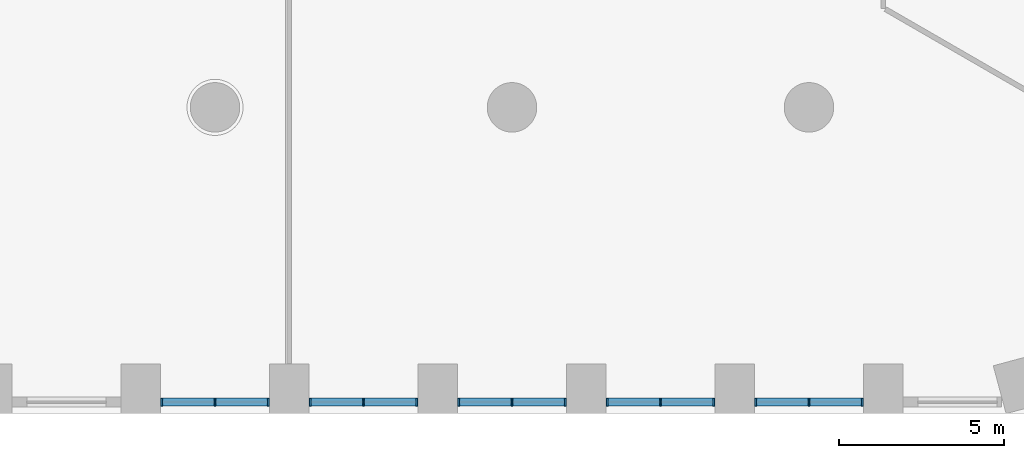
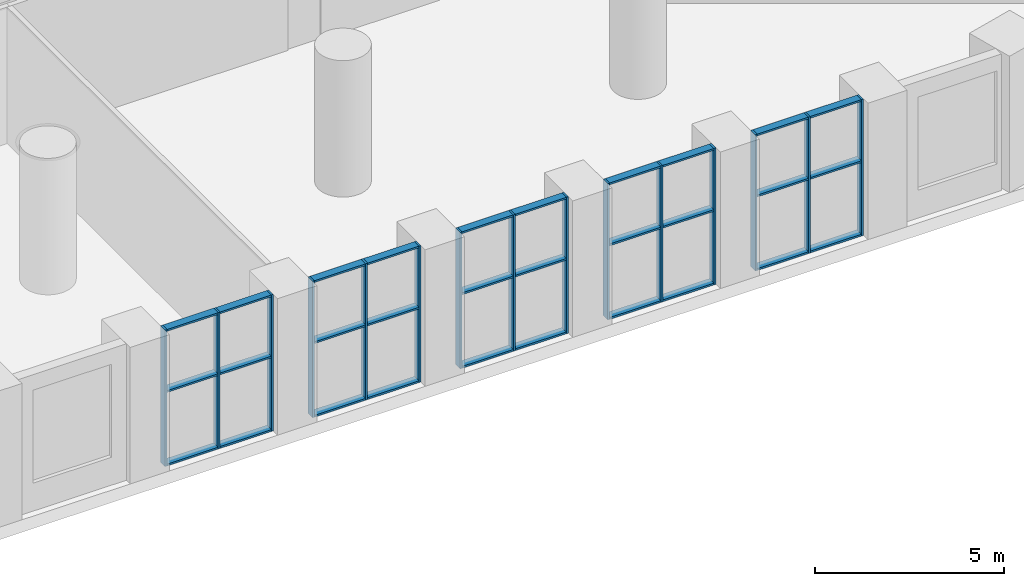
# One storey, part 2 of 26: 45 members, 5 elements without a shape of their own.
"""IFC4 building model written with IfcOpenShell, lengths in metres."""

from ifc_helpers import new_model, si_unit, direction, frame, origin, origin_2d, place, context, subcontext, project, spatial, rectangle, extrude, material, layer, layer_set, material_profile, profile_set, type_object, element, aggregate, save


model = new_model("IFC4")

# Units and contexts
model_context = context("Model", 3, precision=1e-05, world=origin(), true_north=direction((0.0, 1.0)))
body_context = subcontext(model_context, "Body", "Model", "MODEL_VIEW")
ifc_project = project(units=[si_unit("LENGTHUNIT", "METRE"), si_unit("AREAUNIT", "SQUARE_METRE"), si_unit("VOLUMEUNIT", "CUBIC_METRE"), si_unit("PLANEANGLEUNIT", "RADIAN"), si_unit("MASSUNIT", "GRAM", prefix="KILO")], contexts=[model_context])

# Site, building, storey
site_placement = place(None, origin())
site = spatial("IfcSite", under=ifc_project, at=site_placement, CompositionType="ELEMENT")
building_placement = place(site_placement, origin())
building = spatial("IfcBuilding", under=site, at=building_placement, Name="Dhurran Vertical Campus", CompositionType="ELEMENT")
storey_placement = place(building_placement, frame((0.0, 0.0, 15.60009765625)))
storey = spatial("IfcBuildingStorey", under=building, at=storey_placement, Name="L03", CompositionType="ELEMENT", Elevation=15.60009765625)

# Curtain wall, members
ifc_material_1 = material(Name="Aluminium frame with solar-control glass", Category="aluminium")
ifc_layer = layer(ifc_material_1, 0.25)
ifc_layer_set = layer_set([ifc_layer], Name="Aluminium frame with solar-control glass")
curtain_wall_type = type_object("IfcCurtainWallType", Name="Library atrium glazing system", PredefinedType="NOTDEFINED", material=ifc_layer_set)
curtain_wall_1_placement = place(storey_placement, origin())
curtain_wall_1 = element("IfcCurtainWall", 1, at=curtain_wall_1_placement, inside=storey, type_object=curtain_wall_type, Name="CW2 L03.03", PredefinedType="NOTDEFINED")
ifc_material_2 = material(Name="Aluminium mullion", Category="aluminium")
ifc_material_profile_1 = material_profile(ifc_material_2, rectangle(XDim=0.239990234375, YDim=0.06005859375, at=origin_2d()), Name="Library atrium glazing system mullion")
ifc_profile_set_1 = profile_set([ifc_material_profile_1], Name="Aluminium mullion")
member_type_1 = type_object("IfcMemberType", Name="Library atrium glazing system mullion", PredefinedType="MULLION", material=ifc_profile_set_1)
member_1_placement = place(storey_placement, frame((-6.119384765625, -31.4296875, 0.0), z_axis=(0.0, 0.0, 1.0), x_axis=(0.0, 1.0, 0.0)))
member_1 = element("IfcMember", 2, at=member_1_placement, type_object=member_type_1, Name="CW2 mullion 1", PredefinedType="MULLION", context=body_context, shape_type="SweptSolid", body=[
    extrude(rectangle(XDim=0.239990234375, YDim=0.06005859375, at=origin_2d()), origin(), (0.0, 0.0, 1.0), 4.39990234375),
])
member_2_placement = place(storey_placement, frame((-4.5, -31.4296875, 0.0), z_axis=(0.0, 0.0, 1.0), x_axis=(0.0, 1.0, 0.0)))
member_2 = element("IfcMember", 3, at=member_2_placement, type_object=member_type_1, Name="CW2 mullion 2", PredefinedType="MULLION", context=body_context, shape_type="SweptSolid", body=[
    extrude(rectangle(XDim=0.239990234375, YDim=0.06005859375, at=origin_2d()), origin(), (0.0, 0.0, 1.0), 4.39990234375),
])
member_3_placement = place(storey_placement, frame((-2.880615234375, -31.4296875, 0.0), z_axis=(0.0, 0.0, 1.0), x_axis=(0.0, 1.0, 0.0)))
member_3 = element("IfcMember", 4, at=member_3_placement, type_object=member_type_1, Name="CW2 mullion 3", PredefinedType="MULLION", context=body_context, shape_type="SweptSolid", body=[
    extrude(rectangle(XDim=0.239990234375, YDim=0.06005859375, at=origin_2d()), origin(), (0.0, 0.0, 1.0), 4.39990234375),
])

curtain_wall_2_placement = place(storey_placement, origin())
curtain_wall_2 = element("IfcCurtainWall", 5, at=curtain_wall_2_placement, inside=storey, type_object=curtain_wall_type, Name="CW2 L03.04", PredefinedType="NOTDEFINED")
member_4_placement = place(storey_placement, frame((-1.619384765625, -31.4296875, 0.0), z_axis=(0.0, 0.0, 1.0), x_axis=(0.0, 1.0, 0.0)))
member_4 = element("IfcMember", 6, at=member_4_placement, type_object=member_type_1, Name="CW2 mullion 1", PredefinedType="MULLION", context=body_context, shape_type="SweptSolid", body=[
    extrude(rectangle(XDim=0.239990234375, YDim=0.06005859375, at=origin_2d()), origin(), (0.0, 0.0, 1.0), 4.39990234375),
])
member_5_placement = place(storey_placement, frame((0.0, -31.4296875, 0.0), z_axis=(0.0, 0.0, 1.0), x_axis=(0.0, 1.0, 0.0)))
member_5 = element("IfcMember", 7, at=member_5_placement, type_object=member_type_1, Name="CW2 mullion 2", PredefinedType="MULLION", context=body_context, shape_type="SweptSolid", body=[
    extrude(rectangle(XDim=0.239990234375, YDim=0.06005859375, at=origin_2d()), origin(), (0.0, 0.0, 1.0), 4.39990234375),
])
member_6_placement = place(storey_placement, frame((1.619384765625, -31.4296875, 0.0), z_axis=(0.0, 0.0, 1.0), x_axis=(0.0, 1.0, 0.0)))
member_6 = element("IfcMember", 8, at=member_6_placement, type_object=member_type_1, Name="CW2 mullion 3", PredefinedType="MULLION", context=body_context, shape_type="SweptSolid", body=[
    extrude(rectangle(XDim=0.239990234375, YDim=0.06005859375, at=origin_2d()), origin(), (0.0, 0.0, 1.0), 4.39990234375),
])

curtain_wall_3_placement = place(storey_placement, origin())
curtain_wall_3 = element("IfcCurtainWall", 9, at=curtain_wall_3_placement, inside=storey, type_object=curtain_wall_type, Name="CW2 L03.05", PredefinedType="NOTDEFINED")
member_7_placement = place(storey_placement, frame((2.880615234375, -31.4296875, 0.0), z_axis=(0.0, 0.0, 1.0), x_axis=(0.0, 1.0, 0.0)))
member_7 = element("IfcMember", 10, at=member_7_placement, type_object=member_type_1, Name="CW2 mullion 1", PredefinedType="MULLION", context=body_context, shape_type="SweptSolid", body=[
    extrude(rectangle(XDim=0.239990234375, YDim=0.06005859375, at=origin_2d()), origin(), (0.0, 0.0, 1.0), 4.39990234375),
])
member_8_placement = place(storey_placement, frame((4.5, -31.4296875, 0.0), z_axis=(0.0, 0.0, 1.0), x_axis=(0.0, 1.0, 0.0)))
member_8 = element("IfcMember", 11, at=member_8_placement, type_object=member_type_1, Name="CW2 mullion 2", PredefinedType="MULLION", context=body_context, shape_type="SweptSolid", body=[
    extrude(rectangle(XDim=0.239990234375, YDim=0.06005859375, at=origin_2d()), origin(), (0.0, 0.0, 1.0), 4.39990234375),
])
member_9_placement = place(storey_placement, frame((6.119384765625, -31.4296875, 0.0), z_axis=(0.0, 0.0, 1.0), x_axis=(0.0, 1.0, 0.0)))
member_9 = element("IfcMember", 12, at=member_9_placement, type_object=member_type_1, Name="CW2 mullion 3", PredefinedType="MULLION", context=body_context, shape_type="SweptSolid", body=[
    extrude(rectangle(XDim=0.239990234375, YDim=0.06005859375, at=origin_2d()), origin(), (0.0, 0.0, 1.0), 4.39990234375),
])

curtain_wall_4_placement = place(storey_placement, origin())
curtain_wall_4 = element("IfcCurtainWall", 13, at=curtain_wall_4_placement, inside=storey, type_object=curtain_wall_type, Name="CW2 L03.06", PredefinedType="NOTDEFINED")
member_10_placement = place(storey_placement, frame((7.380615234375, -31.4296875, 0.0), z_axis=(0.0, 0.0, 1.0), x_axis=(0.0, 1.0, 0.0)))
member_10 = element("IfcMember", 14, at=member_10_placement, type_object=member_type_1, Name="CW2 mullion 1", PredefinedType="MULLION", context=body_context, shape_type="SweptSolid", body=[
    extrude(rectangle(XDim=0.239990234375, YDim=0.06005859375, at=origin_2d()), origin(), (0.0, 0.0, 1.0), 4.39990234375),
])
member_11_placement = place(storey_placement, frame((9.0, -31.4296875, 0.0), z_axis=(0.0, 0.0, 1.0), x_axis=(0.0, 1.0, 0.0)))
member_11 = element("IfcMember", 15, at=member_11_placement, type_object=member_type_1, Name="CW2 mullion 2", PredefinedType="MULLION", context=body_context, shape_type="SweptSolid", body=[
    extrude(rectangle(XDim=0.239990234375, YDim=0.06005859375, at=origin_2d()), origin(), (0.0, 0.0, 1.0), 4.39990234375),
])
member_12_placement = place(storey_placement, frame((10.619384765625, -31.4296875, 0.0), z_axis=(0.0, 0.0, 1.0), x_axis=(0.0, 1.0, 0.0)))
member_12 = element("IfcMember", 16, at=member_12_placement, type_object=member_type_1, Name="CW2 mullion 3", PredefinedType="MULLION", context=body_context, shape_type="SweptSolid", body=[
    extrude(rectangle(XDim=0.239990234375, YDim=0.06005859375, at=origin_2d()), origin(), (0.0, 0.0, 1.0), 4.39990234375),
])

curtain_wall_5_placement = place(storey_placement, origin())
curtain_wall_5 = element("IfcCurtainWall", 17, at=curtain_wall_5_placement, inside=storey, type_object=curtain_wall_type, Name="CW2 L03.07", PredefinedType="NOTDEFINED")
member_13_placement = place(storey_placement, frame((11.880615234375, -31.4296875, 0.0), z_axis=(0.0, 0.0, 1.0), x_axis=(0.0, 1.0, 0.0)))
member_13 = element("IfcMember", 18, at=member_13_placement, type_object=member_type_1, Name="CW2 mullion 1", PredefinedType="MULLION", context=body_context, shape_type="SweptSolid", body=[
    extrude(rectangle(XDim=0.239990234375, YDim=0.06005859375, at=origin_2d()), origin(), (0.0, 0.0, 1.0), 4.39990234375),
])
member_14_placement = place(storey_placement, frame((13.5, -31.4296875, 0.0), z_axis=(0.0, 0.0, 1.0), x_axis=(0.0, 1.0, 0.0)))
member_14 = element("IfcMember", 19, at=member_14_placement, type_object=member_type_1, Name="CW2 mullion 2", PredefinedType="MULLION", context=body_context, shape_type="SweptSolid", body=[
    extrude(rectangle(XDim=0.239990234375, YDim=0.06005859375, at=origin_2d()), origin(), (0.0, 0.0, 1.0), 4.39990234375),
])
member_15_placement = place(storey_placement, frame((15.119384765625, -31.4296875, 0.0), z_axis=(0.0, 0.0, 1.0), x_axis=(0.0, 1.0, 0.0)))
member_15 = element("IfcMember", 20, at=member_15_placement, type_object=member_type_1, Name="CW2 mullion 3", PredefinedType="MULLION", context=body_context, shape_type="SweptSolid", body=[
    extrude(rectangle(XDim=0.239990234375, YDim=0.06005859375, at=origin_2d()), origin(), (0.0, 0.0, 1.0), 4.39990234375),
])

# Member
ifc_material_3 = material(Name="Aluminium transom", Category="aluminium")
ifc_material_profile_2 = material_profile(ifc_material_3, rectangle(XDim=0.239990234375, YDim=0.06005859375, at=origin_2d()), Name="Library atrium glazing system transom")
ifc_profile_set_2 = profile_set([ifc_material_profile_2], Name="Aluminium transom")
member_type_2 = type_object("IfcMemberType", Name="Library atrium glazing system transom", PredefinedType="USERDEFINED", material=ifc_profile_set_2)
member_16_placement = place(storey_placement, frame((-6.089599609375, -31.4296875, 0.02978515625), z_axis=(1.0, 0.0, 0.0), x_axis=(0.0, 1.0, 0.0)))
member_16 = element("IfcMember", 21, at=member_16_placement, type_object=member_type_2, Name="CW2 transom 1.1", ObjectType="TRANSOM", PredefinedType="USERDEFINED", context=body_context, shape_type="SweptSolid", body=[
    extrude(rectangle(XDim=0.239990234375, YDim=0.06005859375, at=origin_2d()), origin(), (0.0, 0.0, 1.0), 1.5595703125),
])

member_17_placement = place(storey_placement, frame((-6.089599609375, -31.4296875, 2.39990234375), z_axis=(1.0, 0.0, 0.0), x_axis=(0.0, 1.0, 0.0)))
member_17 = element("IfcMember", 22, at=member_17_placement, type_object=member_type_2, Name="CW2 transom 1.2", ObjectType="TRANSOM", PredefinedType="USERDEFINED", context=body_context, shape_type="SweptSolid", body=[
    extrude(rectangle(XDim=0.239990234375, YDim=0.06005859375, at=origin_2d()), origin(), (0.0, 0.0, 1.0), 1.5595703125),
])

member_18_placement = place(storey_placement, frame((-6.089599609375, -31.4296875, 4.369873046875), z_axis=(1.0, 0.0, 0.0), x_axis=(0.0, 1.0, 0.0)))
member_18 = element("IfcMember", 23, at=member_18_placement, type_object=member_type_2, Name="CW2 transom 1.3", ObjectType="TRANSOM", PredefinedType="USERDEFINED", context=body_context, shape_type="SweptSolid", body=[
    extrude(rectangle(XDim=0.239990234375, YDim=0.06005859375, at=origin_2d()), origin(), (0.0, 0.0, 1.0), 1.5595703125),
])

member_19_placement = place(storey_placement, frame((-4.469970703125, -31.4296875, 0.02978515625), z_axis=(1.0, 0.0, 0.0), x_axis=(0.0, 1.0, 0.0)))
member_19 = element("IfcMember", 24, at=member_19_placement, type_object=member_type_2, Name="CW2 transom 2.1", ObjectType="TRANSOM", PredefinedType="USERDEFINED", context=body_context, shape_type="SweptSolid", body=[
    extrude(rectangle(XDim=0.239990234375, YDim=0.06005859375, at=origin_2d()), origin(), (0.0, 0.0, 1.0), 1.5595703125),
])

member_20_placement = place(storey_placement, frame((-4.469970703125, -31.4296875, 2.39990234375), z_axis=(1.0, 0.0, 0.0), x_axis=(0.0, 1.0, 0.0)))
member_20 = element("IfcMember", 25, at=member_20_placement, type_object=member_type_2, Name="CW2 transom 2.2", ObjectType="TRANSOM", PredefinedType="USERDEFINED", context=body_context, shape_type="SweptSolid", body=[
    extrude(rectangle(XDim=0.239990234375, YDim=0.06005859375, at=origin_2d()), origin(), (0.0, 0.0, 1.0), 1.5595703125),
])

member_21_placement = place(storey_placement, frame((-4.469970703125, -31.4296875, 4.369873046875), z_axis=(1.0, 0.0, 0.0), x_axis=(0.0, 1.0, 0.0)))
member_21 = element("IfcMember", 26, at=member_21_placement, type_object=member_type_2, Name="CW2 transom 2.3", ObjectType="TRANSOM", PredefinedType="USERDEFINED", context=body_context, shape_type="SweptSolid", body=[
    extrude(rectangle(XDim=0.239990234375, YDim=0.06005859375, at=origin_2d()), origin(), (0.0, 0.0, 1.0), 1.5595703125),
])

aggregate(curtain_wall_1, [member_1, member_2, member_3, member_16, member_17, member_18, member_19, member_20, member_21])

member_22_placement = place(storey_placement, frame((-1.589599609375, -31.4296875, 0.02978515625), z_axis=(1.0, 0.0, 0.0), x_axis=(0.0, 1.0, 0.0)))
member_22 = element("IfcMember", 27, at=member_22_placement, type_object=member_type_2, Name="CW2 transom 1.1", ObjectType="TRANSOM", PredefinedType="USERDEFINED", context=body_context, shape_type="SweptSolid", body=[
    extrude(rectangle(XDim=0.239990234375, YDim=0.06005859375, at=origin_2d()), origin(), (0.0, 0.0, 1.0), 1.5595703125),
])

member_23_placement = place(storey_placement, frame((-1.589599609375, -31.4296875, 2.39990234375), z_axis=(1.0, 0.0, 0.0), x_axis=(0.0, 1.0, 0.0)))
member_23 = element("IfcMember", 28, at=member_23_placement, type_object=member_type_2, Name="CW2 transom 1.2", ObjectType="TRANSOM", PredefinedType="USERDEFINED", context=body_context, shape_type="SweptSolid", body=[
    extrude(rectangle(XDim=0.239990234375, YDim=0.06005859375, at=origin_2d()), origin(), (0.0, 0.0, 1.0), 1.5595703125),
])

member_24_placement = place(storey_placement, frame((-1.589599609375, -31.4296875, 4.369873046875), z_axis=(1.0, 0.0, 0.0), x_axis=(0.0, 1.0, 0.0)))
member_24 = element("IfcMember", 29, at=member_24_placement, type_object=member_type_2, Name="CW2 transom 1.3", ObjectType="TRANSOM", PredefinedType="USERDEFINED", context=body_context, shape_type="SweptSolid", body=[
    extrude(rectangle(XDim=0.239990234375, YDim=0.06005859375, at=origin_2d()), origin(), (0.0, 0.0, 1.0), 1.5595703125),
])

member_25_placement = place(storey_placement, frame((0.030029296875, -31.4296875, 0.02978515625), z_axis=(1.0, 0.0, 0.0), x_axis=(0.0, 1.0, 0.0)))
member_25 = element("IfcMember", 30, at=member_25_placement, type_object=member_type_2, Name="CW2 transom 2.1", ObjectType="TRANSOM", PredefinedType="USERDEFINED", context=body_context, shape_type="SweptSolid", body=[
    extrude(rectangle(XDim=0.239990234375, YDim=0.06005859375, at=origin_2d()), origin(), (0.0, 0.0, 1.0), 1.5595703125),
])

member_26_placement = place(storey_placement, frame((0.030029296875, -31.4296875, 2.39990234375), z_axis=(1.0, 0.0, 0.0), x_axis=(0.0, 1.0, 0.0)))
member_26 = element("IfcMember", 31, at=member_26_placement, type_object=member_type_2, Name="CW2 transom 2.2", ObjectType="TRANSOM", PredefinedType="USERDEFINED", context=body_context, shape_type="SweptSolid", body=[
    extrude(rectangle(XDim=0.239990234375, YDim=0.06005859375, at=origin_2d()), origin(), (0.0, 0.0, 1.0), 1.5595703125),
])

member_27_placement = place(storey_placement, frame((0.030029296875, -31.4296875, 4.369873046875), z_axis=(1.0, 0.0, 0.0), x_axis=(0.0, 1.0, 0.0)))
member_27 = element("IfcMember", 32, at=member_27_placement, type_object=member_type_2, Name="CW2 transom 2.3", ObjectType="TRANSOM", PredefinedType="USERDEFINED", context=body_context, shape_type="SweptSolid", body=[
    extrude(rectangle(XDim=0.239990234375, YDim=0.06005859375, at=origin_2d()), origin(), (0.0, 0.0, 1.0), 1.5595703125),
])

aggregate(curtain_wall_2, [member_4, member_5, member_6, member_22, member_23, member_24, member_25, member_26, member_27])

member_28_placement = place(storey_placement, frame((2.910400390625, -31.4296875, 0.02978515625), z_axis=(1.0, 0.0, 0.0), x_axis=(0.0, 1.0, 0.0)))
member_28 = element("IfcMember", 33, at=member_28_placement, type_object=member_type_2, Name="CW2 transom 1.1", ObjectType="TRANSOM", PredefinedType="USERDEFINED", context=body_context, shape_type="SweptSolid", body=[
    extrude(rectangle(XDim=0.239990234375, YDim=0.06005859375, at=origin_2d()), origin(), (0.0, 0.0, 1.0), 1.5595703125),
])

member_29_placement = place(storey_placement, frame((2.910400390625, -31.4296875, 2.39990234375), z_axis=(1.0, 0.0, 0.0), x_axis=(0.0, 1.0, 0.0)))
member_29 = element("IfcMember", 34, at=member_29_placement, type_object=member_type_2, Name="CW2 transom 1.2", ObjectType="TRANSOM", PredefinedType="USERDEFINED", context=body_context, shape_type="SweptSolid", body=[
    extrude(rectangle(XDim=0.239990234375, YDim=0.06005859375, at=origin_2d()), origin(), (0.0, 0.0, 1.0), 1.5595703125),
])

member_30_placement = place(storey_placement, frame((2.910400390625, -31.4296875, 4.369873046875), z_axis=(1.0, 0.0, 0.0), x_axis=(0.0, 1.0, 0.0)))
member_30 = element("IfcMember", 35, at=member_30_placement, type_object=member_type_2, Name="CW2 transom 1.3", ObjectType="TRANSOM", PredefinedType="USERDEFINED", context=body_context, shape_type="SweptSolid", body=[
    extrude(rectangle(XDim=0.239990234375, YDim=0.06005859375, at=origin_2d()), origin(), (0.0, 0.0, 1.0), 1.5595703125),
])

member_31_placement = place(storey_placement, frame((4.530029296875, -31.4296875, 0.02978515625), z_axis=(1.0, 0.0, 0.0), x_axis=(0.0, 1.0, 0.0)))
member_31 = element("IfcMember", 36, at=member_31_placement, type_object=member_type_2, Name="CW2 transom 2.1", ObjectType="TRANSOM", PredefinedType="USERDEFINED", context=body_context, shape_type="SweptSolid", body=[
    extrude(rectangle(XDim=0.239990234375, YDim=0.06005859375, at=origin_2d()), origin(), (0.0, 0.0, 1.0), 1.5595703125),
])

member_32_placement = place(storey_placement, frame((4.530029296875, -31.4296875, 2.39990234375), z_axis=(1.0, 0.0, 0.0), x_axis=(0.0, 1.0, 0.0)))
member_32 = element("IfcMember", 37, at=member_32_placement, type_object=member_type_2, Name="CW2 transom 2.2", ObjectType="TRANSOM", PredefinedType="USERDEFINED", context=body_context, shape_type="SweptSolid", body=[
    extrude(rectangle(XDim=0.239990234375, YDim=0.06005859375, at=origin_2d()), origin(), (0.0, 0.0, 1.0), 1.5595703125),
])

member_33_placement = place(storey_placement, frame((4.530029296875, -31.4296875, 4.369873046875), z_axis=(1.0, 0.0, 0.0), x_axis=(0.0, 1.0, 0.0)))
member_33 = element("IfcMember", 38, at=member_33_placement, type_object=member_type_2, Name="CW2 transom 2.3", ObjectType="TRANSOM", PredefinedType="USERDEFINED", context=body_context, shape_type="SweptSolid", body=[
    extrude(rectangle(XDim=0.239990234375, YDim=0.06005859375, at=origin_2d()), origin(), (0.0, 0.0, 1.0), 1.5595703125),
])

aggregate(curtain_wall_3, [member_7, member_8, member_9, member_28, member_29, member_30, member_31, member_32, member_33])

member_34_placement = place(storey_placement, frame((7.410400390625, -31.4296875, 0.02978515625), z_axis=(1.0, 0.0, 0.0), x_axis=(0.0, 1.0, 0.0)))
member_34 = element("IfcMember", 39, at=member_34_placement, type_object=member_type_2, Name="CW2 transom 1.1", ObjectType="TRANSOM", PredefinedType="USERDEFINED", context=body_context, shape_type="SweptSolid", body=[
    extrude(rectangle(XDim=0.239990234375, YDim=0.06005859375, at=origin_2d()), origin(), (0.0, 0.0, 1.0), 1.5595703125),
])

member_35_placement = place(storey_placement, frame((7.410400390625, -31.4296875, 2.39990234375), z_axis=(1.0, 0.0, 0.0), x_axis=(0.0, 1.0, 0.0)))
member_35 = element("IfcMember", 40, at=member_35_placement, type_object=member_type_2, Name="CW2 transom 1.2", ObjectType="TRANSOM", PredefinedType="USERDEFINED", context=body_context, shape_type="SweptSolid", body=[
    extrude(rectangle(XDim=0.239990234375, YDim=0.06005859375, at=origin_2d()), origin(), (0.0, 0.0, 1.0), 1.5595703125),
])

member_36_placement = place(storey_placement, frame((7.410400390625, -31.4296875, 4.369873046875), z_axis=(1.0, 0.0, 0.0), x_axis=(0.0, 1.0, 0.0)))
member_36 = element("IfcMember", 41, at=member_36_placement, type_object=member_type_2, Name="CW2 transom 1.3", ObjectType="TRANSOM", PredefinedType="USERDEFINED", context=body_context, shape_type="SweptSolid", body=[
    extrude(rectangle(XDim=0.239990234375, YDim=0.06005859375, at=origin_2d()), origin(), (0.0, 0.0, 1.0), 1.5595703125),
])

member_37_placement = place(storey_placement, frame((9.030029296875, -31.4296875, 0.02978515625), z_axis=(1.0, 0.0, 0.0), x_axis=(0.0, 1.0, 0.0)))
member_37 = element("IfcMember", 42, at=member_37_placement, type_object=member_type_2, Name="CW2 transom 2.1", ObjectType="TRANSOM", PredefinedType="USERDEFINED", context=body_context, shape_type="SweptSolid", body=[
    extrude(rectangle(XDim=0.239990234375, YDim=0.06005859375, at=origin_2d()), origin(), (0.0, 0.0, 1.0), 1.5595703125),
])

member_38_placement = place(storey_placement, frame((9.030029296875, -31.4296875, 2.39990234375), z_axis=(1.0, 0.0, 0.0), x_axis=(0.0, 1.0, 0.0)))
member_38 = element("IfcMember", 43, at=member_38_placement, type_object=member_type_2, Name="CW2 transom 2.2", ObjectType="TRANSOM", PredefinedType="USERDEFINED", context=body_context, shape_type="SweptSolid", body=[
    extrude(rectangle(XDim=0.239990234375, YDim=0.06005859375, at=origin_2d()), origin(), (0.0, 0.0, 1.0), 1.5595703125),
])

member_39_placement = place(storey_placement, frame((9.030029296875, -31.4296875, 4.369873046875), z_axis=(1.0, 0.0, 0.0), x_axis=(0.0, 1.0, 0.0)))
member_39 = element("IfcMember", 44, at=member_39_placement, type_object=member_type_2, Name="CW2 transom 2.3", ObjectType="TRANSOM", PredefinedType="USERDEFINED", context=body_context, shape_type="SweptSolid", body=[
    extrude(rectangle(XDim=0.239990234375, YDim=0.06005859375, at=origin_2d()), origin(), (0.0, 0.0, 1.0), 1.5595703125),
])

aggregate(curtain_wall_4, [member_10, member_11, member_12, member_34, member_35, member_36, member_37, member_38, member_39])

member_40_placement = place(storey_placement, frame((11.910400390625, -31.4296875, 0.02978515625), z_axis=(1.0, 0.0, 0.0), x_axis=(0.0, 1.0, 0.0)))
member_40 = element("IfcMember", 45, at=member_40_placement, type_object=member_type_2, Name="CW2 transom 1.1", ObjectType="TRANSOM", PredefinedType="USERDEFINED", context=body_context, shape_type="SweptSolid", body=[
    extrude(rectangle(XDim=0.239990234375, YDim=0.06005859375, at=origin_2d()), origin(), (0.0, 0.0, 1.0), 1.5595703125),
])

member_41_placement = place(storey_placement, frame((11.910400390625, -31.4296875, 2.39990234375), z_axis=(1.0, 0.0, 0.0), x_axis=(0.0, 1.0, 0.0)))
member_41 = element("IfcMember", 46, at=member_41_placement, type_object=member_type_2, Name="CW2 transom 1.2", ObjectType="TRANSOM", PredefinedType="USERDEFINED", context=body_context, shape_type="SweptSolid", body=[
    extrude(rectangle(XDim=0.239990234375, YDim=0.06005859375, at=origin_2d()), origin(), (0.0, 0.0, 1.0), 1.5595703125),
])

member_42_placement = place(storey_placement, frame((11.910400390625, -31.4296875, 4.369873046875), z_axis=(1.0, 0.0, 0.0), x_axis=(0.0, 1.0, 0.0)))
member_42 = element("IfcMember", 47, at=member_42_placement, type_object=member_type_2, Name="CW2 transom 1.3", ObjectType="TRANSOM", PredefinedType="USERDEFINED", context=body_context, shape_type="SweptSolid", body=[
    extrude(rectangle(XDim=0.239990234375, YDim=0.06005859375, at=origin_2d()), origin(), (0.0, 0.0, 1.0), 1.5595703125),
])

member_43_placement = place(storey_placement, frame((13.530029296875, -31.4296875, 0.02978515625), z_axis=(1.0, 0.0, 0.0), x_axis=(0.0, 1.0, 0.0)))
member_43 = element("IfcMember", 48, at=member_43_placement, type_object=member_type_2, Name="CW2 transom 2.1", ObjectType="TRANSOM", PredefinedType="USERDEFINED", context=body_context, shape_type="SweptSolid", body=[
    extrude(rectangle(XDim=0.239990234375, YDim=0.06005859375, at=origin_2d()), origin(), (0.0, 0.0, 1.0), 1.5595703125),
])

member_44_placement = place(storey_placement, frame((13.530029296875, -31.4296875, 2.39990234375), z_axis=(1.0, 0.0, 0.0), x_axis=(0.0, 1.0, 0.0)))
member_44 = element("IfcMember", 49, at=member_44_placement, type_object=member_type_2, Name="CW2 transom 2.2", ObjectType="TRANSOM", PredefinedType="USERDEFINED", context=body_context, shape_type="SweptSolid", body=[
    extrude(rectangle(XDim=0.239990234375, YDim=0.06005859375, at=origin_2d()), origin(), (0.0, 0.0, 1.0), 1.5595703125),
])

member_45_placement = place(storey_placement, frame((13.530029296875, -31.4296875, 4.369873046875), z_axis=(1.0, 0.0, 0.0), x_axis=(0.0, 1.0, 0.0)))
member_45 = element("IfcMember", 50, at=member_45_placement, type_object=member_type_2, Name="CW2 transom 2.3", ObjectType="TRANSOM", PredefinedType="USERDEFINED", context=body_context, shape_type="SweptSolid", body=[
    extrude(rectangle(XDim=0.239990234375, YDim=0.06005859375, at=origin_2d()), origin(), (0.0, 0.0, 1.0), 1.5595703125),
])

aggregate(curtain_wall_5, [member_13, member_14, member_15, member_40, member_41, member_42, member_43, member_44, member_45])

save(model, "model.ifc")
